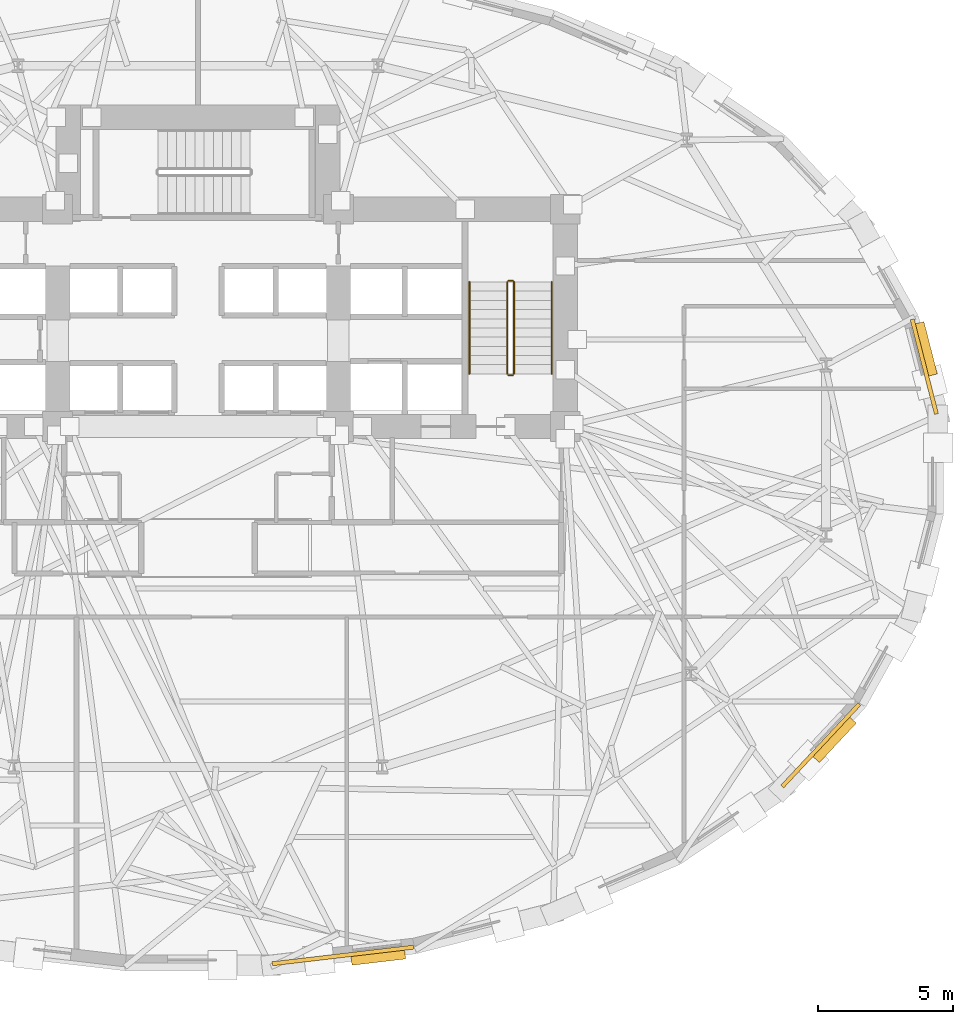
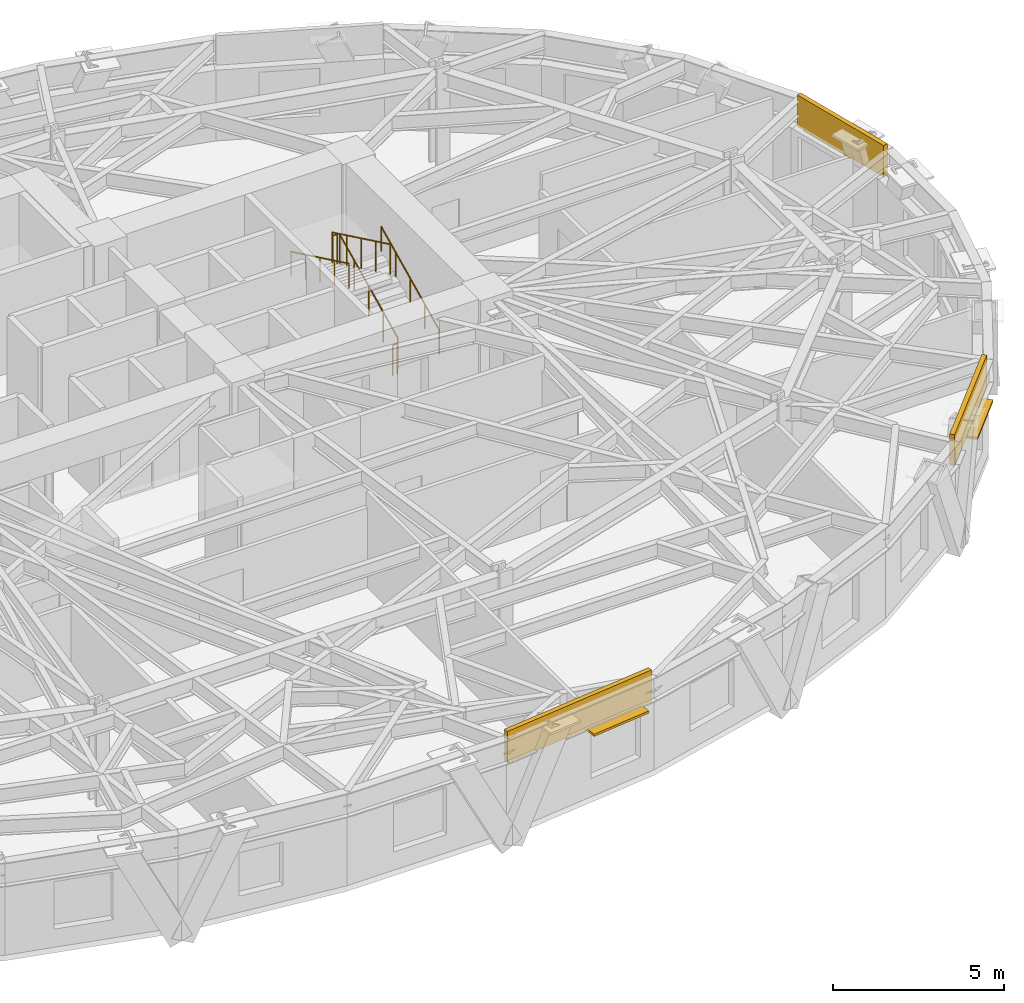
# One storey, part 13 of 14: 6 railings, 3 coverings, 3 shading devices.
"""IFC4 building model written with IfcOpenShell, lengths in metres."""

from ifc_helpers import new_model, si_unit, direction, frame, origin, origin_2d, place, context, subcontext, project, spatial, rectangle, circle, extrude, material, layer, layer_set, type_object, element, save


model = new_model("IFC4")

# Units and contexts
model_context = context("Model", 3, precision=1e-05, world=origin(), true_north=direction((0.0, 1.0)))
body_context = subcontext(model_context, "Body", "Model", "MODEL_VIEW")
ifc_project = project(units=[si_unit("LENGTHUNIT", "METRE"), si_unit("AREAUNIT", "SQUARE_METRE"), si_unit("VOLUMEUNIT", "CUBIC_METRE"), si_unit("PLANEANGLEUNIT", "RADIAN"), si_unit("MASSUNIT", "GRAM", prefix="KILO")], contexts=[model_context])

# Site, building, storey
site_placement = place(None, origin())
site = spatial("IfcSite", under=ifc_project, at=site_placement, CompositionType="ELEMENT")
building_placement = place(site_placement, origin())
building = spatial("IfcBuilding", under=site, at=building_placement, Name="Keldmark Tower", CompositionType="ELEMENT")
storey_placement = place(building_placement, frame((0.0, 0.0, 48.60009765625)))
storey = spatial("IfcBuildingStorey", under=building, at=storey_placement, Name="L12", CompositionType="ELEMENT", Elevation=48.60009765625)

# Shading devices
ifc_material_1 = material(Name="Kasota Buff Limestone Bullnose and Bronze Anodized Aluminum", Category="masonry")
ifc_layer_1 = layer(ifc_material_1, 0.080078125)
ifc_layer_set_1 = layer_set([ifc_layer_1], Name="Kasota Buff Limestone Bullnose and Bronze Anodized Aluminum")
shading_device_type = type_object("IfcShadingDeviceType", Name="Deep-Set Punched Window Stone-and-Metal Sunshade", PredefinedType="AWNING", material=ifc_layer_set_1)
for number, where, z_axis, x_axis, name in (
    (1, (26.92578125, 4.264892578125, 2.35986328125), (0.0, 0.0, 1.0), (0.248098167018, -0.96873489641, 0.0), "L12 Kasota Stone Window Sunshade 01"),
    (2, (6.6708984375, -18.225341796875, 2.35986328125), (0.0, 0.0, 1.0), (-0.993158426362, -0.116774741047, 0.0), "L12 Kasota Stone Window Sunshade 25"),
    (3, (23.540283203125, -10.17236328125, 2.35986328125), (0.0, 0.0, 1.0), (-0.683006109341, -0.730412660489, 0.0), "L12 Kasota Stone Window Sunshade 29"),
):
    element("IfcShadingDevice", number, at=place(storey_placement, frame(where, z_axis=z_axis, x_axis=x_axis)), inside=storey, type_object=shading_device_type, Name=name, PredefinedType="AWNING", context=body_context, shape_type="SweptSolid", body=[
        extrude(rectangle(XDim=2.0, YDim=0.419921875, at=origin_2d()), origin(), (0.0, 0.0, 1.0), 0.080078125),
    ])

# Coverings
ifc_material_2 = material(Name="Honed Kasota Buff Dolomitic Limestone", Category="masonry")
ifc_layer_2 = layer(ifc_material_2, 0.074951171875)
ifc_layer_set_2 = layer_set([ifc_layer_2], Name="Honed Kasota Buff Dolomitic Limestone")
covering_type = type_object("IfcCoveringType", Name="Kasota Buff Limestone Spandrel Cladding Band", PredefinedType="CLADDING", material=ifc_layer_set_2)
covering_1_placement = place(storey_placement, frame((26.8955078125, 3.61669921875, 2.452880859375), z_axis=(0.0, 0.0, 1.0), x_axis=(-0.248098167018, 0.96873489641, 0.0)))
element("IfcCovering", 4, at=covering_1_placement, inside=storey, type_object=covering_type, Name="L12 Kasota Limestone Spandrel Band 01", PredefinedType="CLADDING", context=body_context, shape_type="SweptSolid", body=[
    extrude(rectangle(XDim=3.618896484375, YDim=0.14990234375, at=origin_2d()), origin(), (0.0, 0.0, 1.0), 1.126953125),
])
covering_2_placement = place(storey_placement, frame((5.36474609375, -18.1875, 2.452880859375), z_axis=(0.0, 0.0, 1.0), x_axis=(0.993158426362, 0.116774741047, 0.0)))
element("IfcCovering", 5, at=covering_2_placement, inside=storey, type_object=covering_type, Name="L12 Kasota Limestone Spandrel Band 25", PredefinedType="CLADDING", context=body_context, shape_type="SweptSolid", body=[
    extrude(rectangle(XDim=5.261962890625, YDim=0.14990234375, at=origin_2d()), origin(), (0.0, 0.0, 1.0), 1.126953125),
])
covering_3_placement = place(storey_placement, frame((23.060302734375, -10.407470703125, 2.452880859375), z_axis=(0.0, 0.0, 1.0), x_axis=(0.683006109341, 0.730412660489, 0.0)))
element("IfcCovering", 6, at=covering_3_placement, inside=storey, type_object=covering_type, Name="L12 Kasota Limestone Spandrel Band 29", PredefinedType="CLADDING", context=body_context, shape_type="SweptSolid", body=[
    extrude(rectangle(XDim=4.177978515625, YDim=0.14990234375, at=origin_2d()), origin(), (0.0, 0.0, 1.0), 1.126953125),
])

# Railings
ifc_material_3 = material(Name="Painted Steel ASTM A500 Grade B", Category="steel")
railing_type_1 = type_object("IfcRailingType", Name="Painted Steel Stair Well Guard 1100 mm", PredefinedType="GUARDRAIL", material=ifc_material_3)
railing_1_placement = place(storey_placement, frame((11.699951171875, 3.35009765625, 0.16357421875)))
element("IfcRailing", 7, at=railing_1_placement, inside=storey, type_object=railing_type_1, Name="L12 ST2 stair guard 1", PredefinedType="GUARDRAIL", context=body_context, shape_type="SweptSolid", body=[
    extrude(circle(Radius=0.02392578125, at=origin_2d()), frame((0.0, 0.0, 1.076171875), z_axis=(0.0, 0.901080338394, 0.433652192153), x_axis=(-1.0, 0.0, 0.0)), (0.0, 0.0, 1.0), 3.773193359375),
    extrude(circle(Radius=0.02099609375, at=origin_2d()), origin(), (0.0, 0.0, 1.0), 1.052001953125),
    extrude(circle(Radius=0.02099609375, at=origin_2d()), frame((0.0, 0.85009765625, 0.4091796875)), (0.0, 0.0, 1.0), 1.052001953125),
    extrude(circle(Radius=0.02099609375, at=origin_2d()), frame((0.0, 1.699951171875, 0.818115234375)), (0.0, 0.0, 1.0), 1.052001953125),
    extrude(circle(Radius=0.02099609375, at=origin_2d()), frame((0.0, 2.5498046875, 1.22705078125)), (0.0, 0.0, 1.0), 1.052001953125),
    extrude(circle(Radius=0.02099609375, at=origin_2d()), frame((0.0, 3.39990234375, 1.63623046875)), (0.0, 0.0, 1.0), 1.052001953125),
])
railing_2_placement = place(storey_placement, frame((11.64990234375, 6.800048828125, 1.7998046875)))
element("IfcRailing", 8, at=railing_2_placement, inside=storey, type_object=railing_type_1, Name="L12 ST2 stair guard 2", PredefinedType="GUARDRAIL", context=body_context, shape_type="SweptSolid", body=[
    extrude(circle(Radius=0.02392578125, at=origin_2d()), frame((0.0, 0.0, 1.076171875), z_axis=(-1.0, 0.0, 0.0), x_axis=(0.0, -1.0, 0.0)), (0.0, 0.0, 1.0), 0.14990234375),
    extrude(circle(Radius=0.02099609375, at=origin_2d()), origin(), (0.0, 0.0, 1.0), 1.052001953125),
    extrude(circle(Radius=0.02099609375, at=origin_2d()), frame((-0.14990234375, 0.0, 0.0)), (0.0, 0.0, 1.0), 1.052001953125),
])
railing_3_placement = place(storey_placement, frame((11.449951171875, 6.75, 1.963623046875)))
element("IfcRailing", 9, at=railing_3_placement, inside=storey, type_object=railing_type_1, Name="L12 ST2 stair guard 3", PredefinedType="GUARDRAIL", context=body_context, shape_type="SweptSolid", body=[
    extrude(circle(Radius=0.02392578125, at=origin_2d()), frame((0.0, 0.0, 1.076171875), z_axis=(0.0, -0.901080338394, 0.433652192153), x_axis=(1.0, 0.0, 0.0)), (0.0, 0.0, 1.0), 3.773193359375),
    extrude(circle(Radius=0.02099609375, at=origin_2d()), origin(), (0.0, 0.0, 1.0), 1.052001953125),
    extrude(circle(Radius=0.02099609375, at=origin_2d()), frame((0.0, -0.85009765625, 0.4091796875)), (0.0, 0.0, 1.0), 1.052001953125),
    extrude(circle(Radius=0.02099609375, at=origin_2d()), frame((0.0, -1.699951171875, 0.818115234375)), (0.0, 0.0, 1.0), 1.052001953125),
    extrude(circle(Radius=0.02099609375, at=origin_2d()), frame((0.0, -2.5498046875, 1.22705078125)), (0.0, 0.0, 1.0), 1.052001953125),
    extrude(circle(Radius=0.02099609375, at=origin_2d()), frame((0.0, -3.39990234375, 1.63623046875)), (0.0, 0.0, 1.0), 1.052001953125),
])
railing_4_placement = place(storey_placement, frame((11.64990234375, 3.300048828125, 0.0)))
element("IfcRailing", 10, at=railing_4_placement, inside=storey, type_object=railing_type_1, Name="L12 ST2 stair guard 4", PredefinedType="GUARDRAIL", context=body_context, shape_type="SweptSolid", body=[
    extrude(circle(Radius=0.02392578125, at=origin_2d()), frame((0.0, 0.0, 1.076171875), z_axis=(-1.0, 0.0, 0.0), x_axis=(0.0, -1.0, 0.0)), (0.0, 0.0, 1.0), 0.14990234375),
    extrude(circle(Radius=0.02099609375, at=origin_2d()), origin(), (0.0, 0.0, 1.0), 1.052001953125),
    extrude(circle(Radius=0.02099609375, at=origin_2d()), frame((-0.14990234375, 0.0, 0.0)), (0.0, 0.0, 1.0), 1.052001953125),
])
ifc_material_4 = material(Name="Stainless Steel AISI 316L", Category="steel")
railing_type_2 = type_object("IfcRailingType", Name="Stainless Steel Stair Handrail 900 mm", PredefinedType="HANDRAIL", material=ifc_material_4)
railing_5_placement = place(storey_placement, frame((13.10009765625, 3.35009765625, 0.16357421875)))
element("IfcRailing", 11, at=railing_5_placement, inside=storey, type_object=railing_type_2, Name="L12 ST2 stair handrail 1", PredefinedType="HANDRAIL", context=body_context, shape_type="SweptSolid", body=[
    extrude(circle(Radius=0.02392578125, at=origin_2d()), frame((0.0, 0.0, 0.8759765625), z_axis=(0.0, 0.901080338394, 0.433652192153), x_axis=(-1.0, 0.0, 0.0)), (0.0, 0.0, 1.0), 3.773193359375),
    extrude(circle(Radius=0.02099609375, at=origin_2d()), origin(), (0.0, 0.0, 1.0), 0.851806640625),
    extrude(circle(Radius=0.02099609375, at=origin_2d()), frame((0.0, 0.85009765625, 0.4091796875)), (0.0, 0.0, 1.0), 0.851806640625),
    extrude(circle(Radius=0.02099609375, at=origin_2d()), frame((0.0, 1.699951171875, 0.818115234375)), (0.0, 0.0, 1.0), 0.851806640625),
    extrude(circle(Radius=0.02099609375, at=origin_2d()), frame((0.0, 2.5498046875, 1.22705078125)), (0.0, 0.0, 1.0), 0.851806640625),
    extrude(circle(Radius=0.02099609375, at=origin_2d()), frame((0.0, 3.39990234375, 1.63623046875)), (0.0, 0.0, 1.0), 0.851806640625),
])
railing_6_placement = place(storey_placement, frame((10.050048828125, 6.75, 1.963623046875)))
element("IfcRailing", 12, at=railing_6_placement, inside=storey, type_object=railing_type_2, Name="L12 ST2 stair handrail 2", PredefinedType="HANDRAIL", context=body_context, shape_type="SweptSolid", body=[
    extrude(circle(Radius=0.02392578125, at=origin_2d()), frame((0.0, 0.0, 0.8759765625), z_axis=(0.0, -0.901080338394, 0.433652192153), x_axis=(1.0, 0.0, 0.0)), (0.0, 0.0, 1.0), 3.773193359375),
    extrude(circle(Radius=0.02099609375, at=origin_2d()), origin(), (0.0, 0.0, 1.0), 0.851806640625),
    extrude(circle(Radius=0.02099609375, at=origin_2d()), frame((0.0, -0.85009765625, 0.4091796875)), (0.0, 0.0, 1.0), 0.851806640625),
    extrude(circle(Radius=0.02099609375, at=origin_2d()), frame((0.0, -1.699951171875, 0.818115234375)), (0.0, 0.0, 1.0), 0.851806640625),
    extrude(circle(Radius=0.02099609375, at=origin_2d()), frame((0.0, -2.5498046875, 1.22705078125)), (0.0, 0.0, 1.0), 0.851806640625),
    extrude(circle(Radius=0.02099609375, at=origin_2d()), frame((0.0, -3.39990234375, 1.63623046875)), (0.0, 0.0, 1.0), 0.851806640625),
])

save(model, "model.ifc")
